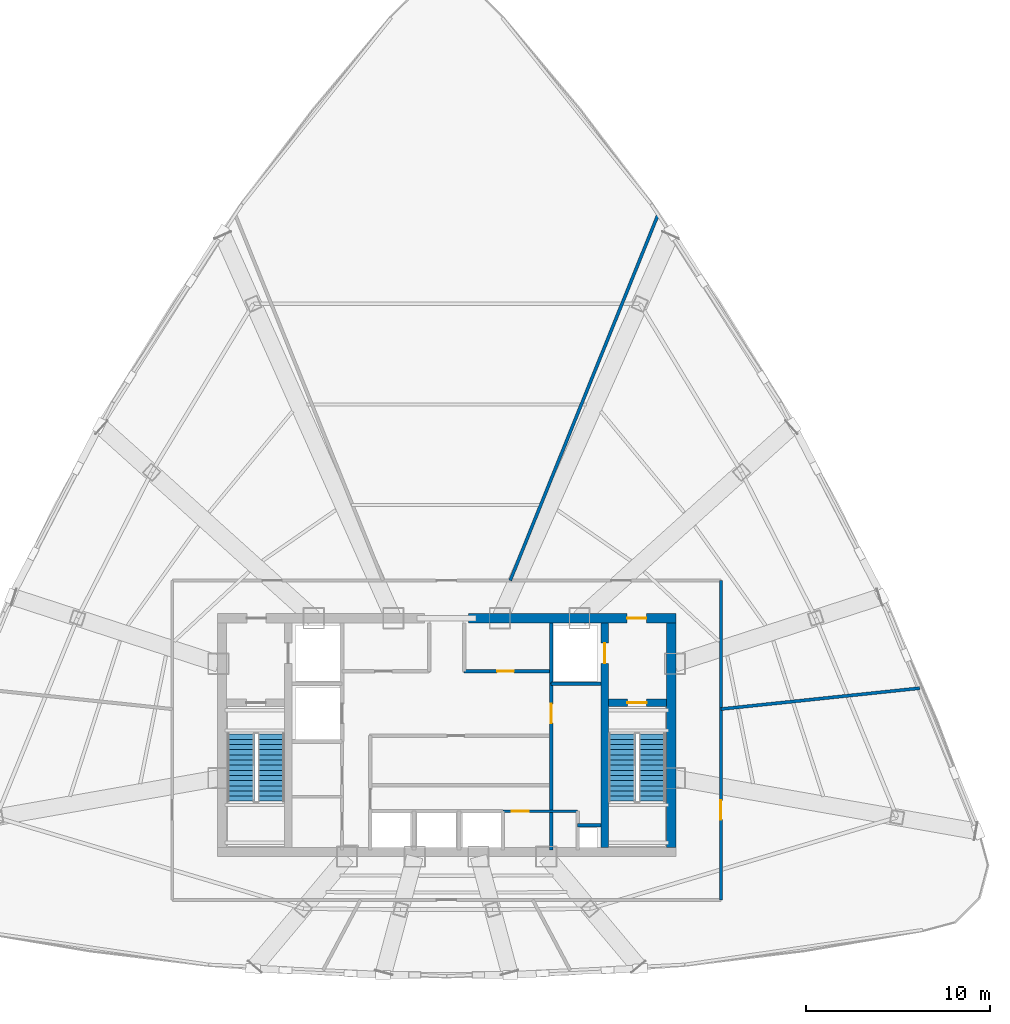
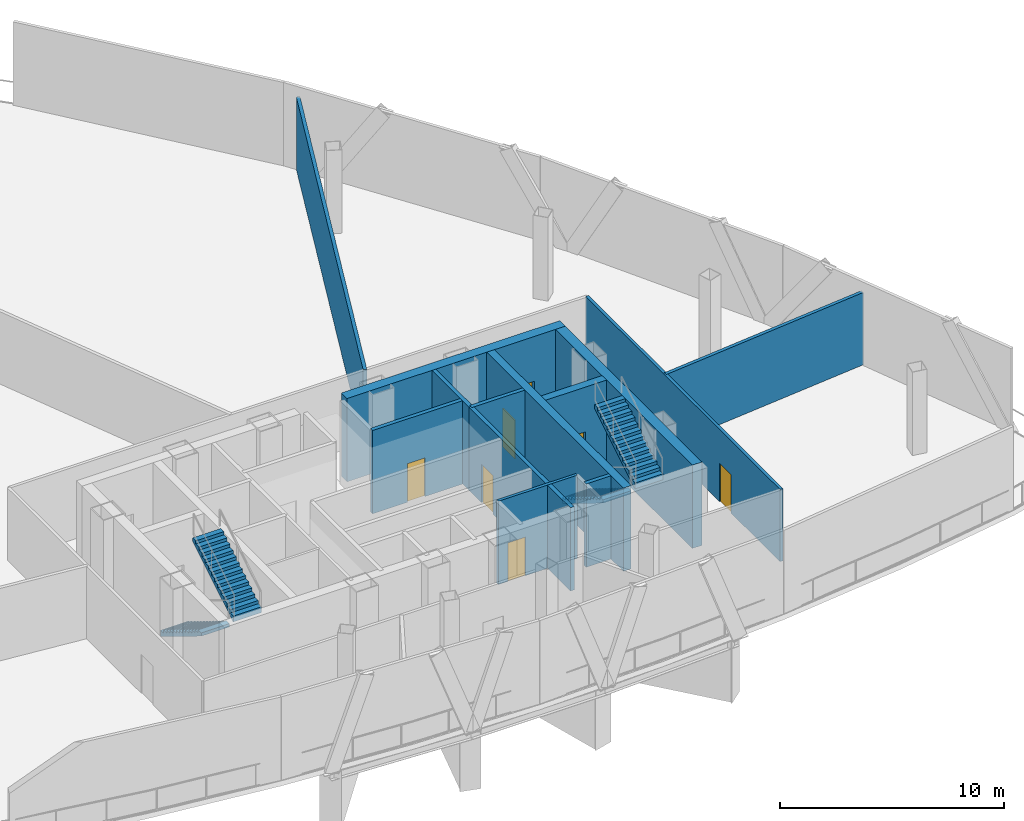
# One storey, part 7 of 12: 13 walls, 7 doors, 4 stair flights, 7 openings, 2 elements without a shape of their own.
"""IFC4 building model written with IfcOpenShell, lengths in metres."""

from ifc_helpers import new_model, si_unit, direction, frame, frame_2d, origin, origin_with_axes, place, context, subcontext, project, spatial, polyline, rectangle, outline, extrude, source, transform, mapped, material, layer, layer_set, type_object, element, fill, aggregate, save


model = new_model("IFC4")

# Units and contexts
model_context = context("Model", 3, precision=1e-05, world=origin(), true_north=direction((0.0, 1.0)))
body_context = subcontext(model_context, "Body", "Model", "MODEL_VIEW")
ifc_project = project(units=[si_unit("LENGTHUNIT", "METRE"), si_unit("AREAUNIT", "SQUARE_METRE"), si_unit("VOLUMEUNIT", "CUBIC_METRE"), si_unit("PLANEANGLEUNIT", "RADIAN"), si_unit("MASSUNIT", "GRAM", prefix="KILO"), si_unit("THERMODYNAMICTEMPERATUREUNIT", "KELVIN"), si_unit("POWERUNIT", "WATT")], contexts=[model_context])

# Site, building, storey
site_placement = place(None, origin())
site = spatial("IfcSite", under=ifc_project, at=site_placement, CompositionType="ELEMENT")
building_placement = place(site_placement, origin())
building = spatial("IfcBuilding", under=site, at=building_placement, Name="Yunzhuo Pagoda Commons", CompositionType="ELEMENT")
storey_placement = place(building_placement, frame((0.0, 0.0, 320.7099609375)))
storey = spatial("IfcBuildingStorey", under=building, at=storey_placement, Name="L80", CompositionType="ELEMENT", Elevation=320.7099609375)

# Wall, opening, door
ifc_material_1 = material(Name="Concrete C50", Category="concrete")
ifc_layer_1 = layer(ifc_material_1, 0.5)
ifc_layer_set_1 = layer_set([ifc_layer_1], Name="Concrete C50")
wall_type_1 = type_object("IfcWallType", Name="W-C03 Upper Core Shear Wall 500", PredefinedType="SHEAR", material=ifc_layer_set_1)
wall_1_placement = place(storey_placement, frame((49.199951171875, 40.199951171875, 0.0), z_axis=(0.0, 0.0, 1.0), x_axis=(1.0, 0.0, 0.0)))
wall_1 = element("IfcWall", 1, at=wall_1_placement, inside=storey, type_object=wall_type_1, Name="L80 core shear wall NE", PredefinedType="SHEAR", context=body_context, shape_type="SweptSolid", body=[
    extrude(rectangle(XDim=11.25, YDim=0.5, at=frame_2d((5.625, 0.0))), origin(), (0.0, 0.0, 1.0), 4.5400390625),
])
opening_1_placement = place(wall_1_placement, frame((8.60009765625, 0.0, 0.0)))
opening_1 = element("IfcOpeningElement", 2, at=opening_1_placement, cuts=wall_1, Name="Opening D-02", PredefinedType="OPENING", context=body_context, shape_type="SweptSolid", body=[
    extrude(rectangle(XDim=1.050048828125, YDim=2.10009765625, at=frame_2d((0.52490234375, 1.050048828125))), frame((0.0, 0.260009765625, 0.0), z_axis=(0.0, -1.0, 0.0), x_axis=(1.0, 0.0, 0.0)), (0.0, 0.0, 1.0), 0.52001953125),
])
ifc_material_2 = material(Name="Galvanized fire-resisting metal leaf")
door_type_1 = type_object("IfcDoorType", Name="D-02 Firefighting Lobby & Refuge Fire Door 1050x2100", OperationType="NOTDEFINED", PredefinedType="DOOR", material=ifc_material_2)
shared_shape_1 = source(origin(), body_context, "Body", "SweptSolid", [
    extrude(rectangle(XDim=1.050048828125, YDim=2.10009765625, at=frame_2d((0.52490234375, 1.050048828125))), frame((0.0, 0.02490234375, 0.0), z_axis=(0.0, -1.0, 0.0), x_axis=(1.0, 0.0, 0.0)), (0.0, 0.0, 1.0), 0.050048828125),
])
door_1_placement = place(opening_1_placement, frame((1.050048828125, 0.0, 0.0), z_axis=(0.0, 0.0, 1.0), x_axis=(-1.0, 0.0, 0.0)))
door_1 = element("IfcDoor", 3, at=door_1_placement, inside=storey, type_object=door_type_1, Name="L80 Firefighting Lobby 2 fire door", OperationType="SINGLE_SWING_RIGHT", OverallHeight=2.10009765625, OverallWidth=1.050048828125, PredefinedType="DOOR", context=body_context, shape_type="MappedRepresentation", body=[
    mapped(shared_shape_1, transform((0.0, 0.0, 0.0), scale=1.0)),
])
fill(opening_1, door_1)

# Wall
wall_2_placement = place(storey_placement, frame((60.199951171875, 27.75, 0.0), z_axis=(0.0, 0.0, 1.0), x_axis=(0.0, 1.0, 0.0)))
element("IfcWall", 4, at=wall_2_placement, inside=storey, type_object=wall_type_1, Name="L80 core shear wall E", PredefinedType="SHEAR", context=body_context, shape_type="SweptSolid", body=[
    extrude(rectangle(XDim=12.199951171875, YDim=0.5, at=frame_2d((6.10009765625, 0.0))), origin(), (0.0, 0.0, 1.0), 4.5400390625),
])

# Wall, opening, door
ifc_material_3 = material(Name="Gypsum plasterboard on acoustic stud")
ifc_layer_2 = layer(ifc_material_3, 0.14990234375)
ifc_layer_set_2 = layer_set([ifc_layer_2], Name="Gypsum plasterboard on acoustic stud")
wall_type_2 = type_object("IfcWallType", Name="W-COR3 High-Zone Rated Corridor Wall 150", PredefinedType="PARTITIONING", material=ifc_layer_set_2)
wall_3_placement = place(storey_placement, frame((51.050048828125, 29.719970703125, 0.0), z_axis=(0.0, 0.0, 1.0), x_axis=(1.0, 0.0, 0.0)))
wall_3 = element("IfcWall", 5, at=wall_3_placement, inside=storey, type_object=wall_type_2, Name="L80 interior wall IW-L80-CSES", PredefinedType="PARTITIONING", context=body_context, shape_type="SweptSolid", body=[
    extrude(rectangle(XDim=4.070068359375, YDim=0.14990234375, at=frame_2d((2.03515625, 0.0))), origin(), (0.0, 0.0, 1.0), 4.5400390625),
])
opening_2_placement = place(wall_3_placement, frame((0.5, 0.0, 0.0)))
opening_2 = element("IfcOpeningElement", 6, at=opening_2_placement, cuts=wall_3, Name="Opening D-03", PredefinedType="OPENING", context=body_context, shape_type="SweptSolid", body=[
    extrude(rectangle(XDim=0.89990234375, YDim=2.10009765625, at=frame_2d((0.449951171875, 1.050048828125))), frame((0.0, 0.0849609375, 0.0), z_axis=(0.0, -1.0, 0.0), x_axis=(1.0, 0.0, 0.0)), (0.0, 0.0, 1.0), 0.169921875),
])
door_type_2 = type_object("IfcDoorType", Name="D-03 Core Service Fire Door 900x2100", OperationType="NOTDEFINED", PredefinedType="DOOR", material=ifc_material_2)
shared_shape_2 = source(origin(), body_context, "Body", "SweptSolid", [
    extrude(rectangle(XDim=0.89990234375, YDim=2.10009765625, at=frame_2d((0.449951171875, 1.050048828125))), frame((0.0, 0.02490234375, 0.0), z_axis=(0.0, -1.0, 0.0), x_axis=(1.0, 0.0, 0.0)), (0.0, 0.0, 1.0), 0.050048828125),
])
door_2_placement = place(opening_2_placement, origin_with_axes())
door_2 = element("IfcDoor", 7, at=door_2_placement, inside=storey, type_object=door_type_2, Name="L80 IT closet door", OperationType="SINGLE_SWING_LEFT", OverallHeight=2.10009765625, OverallWidth=0.89990234375, PredefinedType="DOOR", context=body_context, shape_type="MappedRepresentation", body=[
    mapped(shared_shape_2, transform((0.0, 0.0, 0.0), scale=1.0)),
])
fill(opening_2, door_2)

wall_4_placement = place(storey_placement, frame((62.89990234375, 24.89990234375, 0.0), z_axis=(0.0, 0.0, 1.0), x_axis=(0.0, 1.0, 0.0)))
wall_4 = element("IfcWall", 8, at=wall_4_placement, inside=storey, type_object=wall_type_2, Name="L80 interior wall IW-L80-SCW02", PredefinedType="PARTITIONING", context=body_context, shape_type="SweptSolid", body=[
    extrude(rectangle(XDim=17.35009765625, YDim=0.14990234375, at=frame_2d((8.675048828125, 0.0))), origin(), (0.0, 0.0, 1.0), 3.93994140625),
])
opening_3_placement = place(wall_4_placement, frame((4.358154296875, 0.0, 0.0)))
opening_3 = element("IfcOpeningElement", 9, at=opening_3_placement, cuts=wall_4, Name="Opening D-02", PredefinedType="OPENING", context=body_context, shape_type="SweptSolid", body=[
    extrude(rectangle(XDim=1.050048828125, YDim=2.10009765625, at=frame_2d((0.52490234375, 1.050048828125))), frame((0.0, 0.0849609375, 0.0), z_axis=(0.0, -1.0, 0.0), x_axis=(1.0, 0.0, 0.0)), (0.0, 0.0, 1.0), 0.169921875),
])
door_3_placement = place(opening_3_placement, origin_with_axes())
door_3 = element("IfcDoor", 10, at=door_3_placement, inside=storey, type_object=door_type_1, Name="L80 South Refuge Area door", OperationType="SINGLE_SWING_RIGHT", OverallHeight=2.10009765625, OverallWidth=1.050048828125, PredefinedType="DOOR", context=body_context, shape_type="MappedRepresentation", body=[
    mapped(shared_shape_1, transform((0.0, 0.0, 0.0), scale=1.0)),
])
fill(opening_3, door_3)

# Walls
ifc_layer_3 = layer(ifc_material_3, 0.169921875)
ifc_layer_set_3 = layer_set([ifc_layer_3], Name="Gypsum plasterboard on acoustic stud")
wall_type_3 = type_object("IfcWallType", Name="W-PRT4 High-Zone Demising Wall 170", PredefinedType="PARTITIONING", material=ifc_layer_set_3)
wall_5_placement = place(storey_placement, frame((62.89990234375, 35.26611328125, 0.0), z_axis=(0.0, 0.0, 1.0), x_axis=(0.994523538022, 0.104512833281, 0.0)))
element("IfcWall", 11, at=wall_5_placement, inside=storey, type_object=wall_type_3, Name="L80 interior wall IW-L80-SRAD1", PredefinedType="PARTITIONING", context=body_context, shape_type="SweptSolid", body=[
    extrude(rectangle(XDim=10.86474609375, YDim=0.169921875, at=frame_2d((5.432373046875, 0.0))), origin(), (0.0, 0.0, 1.0), 3.93994140625),
])
wall_6_placement = place(storey_placement, frame((51.454345703125, 42.25, 0.0), z_axis=(0.0, 0.0, 1.0), x_axis=(0.374603551527, 0.927185083564, 0.0)))
element("IfcWall", 12, at=wall_6_placement, inside=storey, type_object=wall_type_3, Name="L80 interior wall IW-L80-SRAD2", PredefinedType="PARTITIONING", context=body_context, shape_type="SweptSolid", body=[
    extrude(rectangle(XDim=21.43212890625, YDim=0.169921875, at=frame_2d((10.716064453125, 0.0))), origin(), (0.0, 0.0, 1.0), 3.93994140625),
])

# Wall, opening, door
ifc_material_4 = material(Name="Concrete C60", Category="concrete")
ifc_layer_4 = layer(ifc_material_4, 0.39990234375)
ifc_layer_set_4 = layer_set([ifc_layer_4], Name="Concrete C60")
wall_type_4 = type_object("IfcWallType", Name="W-S01 Internal Core Shear Web 400", PredefinedType="SHEAR", material=ifc_layer_set_4)
wall_7_placement = place(storey_placement, frame((56.60009765625, 27.75, 0.0), z_axis=(0.0, 0.0, 1.0), x_axis=(0.0, 1.0, 0.0)))
wall_7 = element("IfcWall", 13, at=wall_7_placement, inside=storey, type_object=wall_type_4, Name="L80 core shear wall WEBE", PredefinedType="SHEAR", context=body_context, shape_type="SweptSolid", body=[
    extrude(rectangle(XDim=12.199951171875, YDim=0.39990234375, at=frame_2d((6.10009765625, 0.0))), origin(), (0.0, 0.0, 1.0), 4.5400390625),
])
opening_4_placement = place(wall_7_placement, frame((10.0, 0.0, 0.0)))
opening_4 = element("IfcOpeningElement", 14, at=opening_4_placement, cuts=wall_7, Name="Opening LD-01", PredefinedType="OPENING", context=body_context, shape_type="SweptSolid", body=[
    extrude(rectangle(XDim=1.10009765625, YDim=2.10009765625, at=frame_2d((0.550048828125, 1.050048828125))), frame((0.0, 0.2099609375, 0.0), z_axis=(0.0, -1.0, 0.0), x_axis=(1.0, 0.0, 0.0)), (0.0, 0.0, 1.0), 0.419921875),
])
door_type_3 = type_object("IfcDoorType", Name="LD-01 Firefighting Lift Landing Door 1100x2100", OperationType="DOUBLE_DOOR_SLIDING", PredefinedType="DOOR", material=ifc_material_2)
shared_shape_3 = source(origin(), body_context, "Body", "SweptSolid", [
    extrude(rectangle(XDim=1.10009765625, YDim=2.10009765625, at=frame_2d((0.550048828125, 1.050048828125))), frame((0.0, 0.02490234375, 0.0), z_axis=(0.0, -1.0, 0.0), x_axis=(1.0, 0.0, 0.0)), (0.0, 0.0, 1.0), 0.050048828125),
])
door_4_placement = place(opening_4_placement, origin_with_axes())
door_4 = element("IfcDoor", 15, at=door_4_placement, inside=storey, type_object=door_type_3, Name="L80 Firefighting lift FL-2 landing door", OperationType="DOUBLE_DOOR_SLIDING", OverallHeight=2.10009765625, OverallWidth=1.10009765625, PredefinedType="DOOR", context=body_context, shape_type="MappedRepresentation", body=[
    mapped(shared_shape_3, transform((0.0, 0.0, 0.0), scale=1.0)),
])
fill(opening_4, door_4)

wall_8_placement = place(storey_placement, frame((56.800048828125, 35.60009765625, 0.0), z_axis=(0.0, 0.0, 1.0), x_axis=(1.0, 0.0, 0.0)))
wall_8 = element("IfcWall", 16, at=wall_8_placement, inside=storey, type_object=wall_type_4, Name="L80 core shear wall STE", PredefinedType="SHEAR", context=body_context, shape_type="SweptSolid", body=[
    extrude(rectangle(XDim=3.14990234375, YDim=0.39990234375, at=frame_2d((1.574951171875, 0.0))), origin(), (0.0, 0.0, 1.0), 4.5400390625),
])
opening_5_placement = place(wall_8_placement, frame((1.02001953125, 0.0, 0.0)))
opening_5 = element("IfcOpeningElement", 17, at=opening_5_placement, cuts=wall_8, Name="Opening D-01", PredefinedType="OPENING", context=body_context, shape_type="SweptSolid", body=[
    extrude(rectangle(XDim=1.050048828125, YDim=2.10009765625, at=frame_2d((0.52490234375, 1.050048828125))), frame((0.0, 0.2099609375, 0.0), z_axis=(0.0, -1.0, 0.0), x_axis=(1.0, 0.0, 0.0)), (0.0, 0.0, 1.0), 0.419921875),
])
door_type_4 = type_object("IfcDoorType", Name="D-01 Smokeproof Stair Fire Door 1050x2100", OperationType="NOTDEFINED", PredefinedType="DOOR", material=ifc_material_2)
door_5_placement = place(opening_5_placement, frame((1.050048828125, 0.0, 0.0), z_axis=(0.0, 0.0, 1.0), x_axis=(-1.0, 0.0, 0.0)))
door_5 = element("IfcDoor", 18, at=door_5_placement, inside=storey, type_object=door_type_4, Name="L80 Stair ST2 fire door", OperationType="SINGLE_SWING_RIGHT", OverallHeight=2.10009765625, OverallWidth=1.050048828125, PredefinedType="DOOR", context=body_context, shape_type="MappedRepresentation", body=[
    mapped(shared_shape_1, transform((0.0, 0.0, 0.0), scale=1.0)),
])
fill(opening_5, door_5)

# Walls
ifc_material_5 = material(Name="Concrete C40", Category="concrete")
ifc_layer_5 = layer(ifc_material_5, 0.199951171875)
ifc_layer_set_5 = layer_set([ifc_layer_5], Name="Concrete C40")
wall_type_5 = type_object("IfcWallType", Name="W-SHF Shaft & Stair Enclosure Wall 200", PredefinedType="SOLIDWALL", material=ifc_layer_set_5)
wall_9_placement = place(storey_placement, frame((53.679931640625, 36.64990234375, 0.0), z_axis=(0.0, 0.0, 1.0), x_axis=(0.0, 1.0, 0.0)))
element("IfcWall", 19, at=wall_9_placement, inside=storey, type_object=wall_type_5, Name="L80 interior wall IW-L80-FL2W", PredefinedType="SOLIDWALL", context=body_context, shape_type="SweptSolid", body=[
    extrude(rectangle(XDim=3.300048828125, YDim=0.199951171875, at=frame_2d((1.64990234375, 0.0))), origin(), (0.0, 0.0, 1.0), 4.5400390625),
])
wall_10_placement = place(storey_placement, frame((53.679931640625, 36.64990234375, 0.0), z_axis=(0.0, 0.0, 1.0), x_axis=(1.0, 0.0, 0.0)))
element("IfcWall", 20, at=wall_10_placement, inside=storey, type_object=wall_type_5, Name="L80 interior wall IW-L80-FL2S", PredefinedType="SOLIDWALL", context=body_context, shape_type="SweptSolid", body=[
    extrude(rectangle(XDim=2.719970703125, YDim=0.199951171875, at=frame_2d((1.35986328125, 0.0))), origin(), (0.0, 0.0, 1.0), 4.5400390625),
])

# Wall, opening, door
wall_11_placement = place(storey_placement, frame((48.949951171875, 37.320068359375, 0.0), z_axis=(0.0, 0.0, 1.0), x_axis=(1.0, 0.0, 0.0)))
wall_11 = element("IfcWall", 21, at=wall_11_placement, inside=storey, type_object=wall_type_5, Name="L80 interior wall IW-L80-LBNE", PredefinedType="SOLIDWALL", context=body_context, shape_type="SweptSolid", body=[
    extrude(rectangle(XDim=4.72998046875, YDim=0.199951171875, at=frame_2d((2.364990234375, 0.0))), origin(), (0.0, 0.0, 1.0), 4.5400390625),
])
opening_6_placement = place(wall_11_placement, frame((1.800048828125, 0.0, 0.0)))
opening_6 = element("IfcOpeningElement", 22, at=opening_6_placement, cuts=wall_11, Name="Opening D-03", PredefinedType="OPENING", context=body_context, shape_type="SweptSolid", body=[
    extrude(rectangle(XDim=0.89990234375, YDim=2.10009765625, at=frame_2d((0.449951171875, 1.050048828125))), frame((0.0, 0.10986328125, 0.0), z_axis=(0.0, -1.0, 0.0), x_axis=(1.0, 0.0, 0.0)), (0.0, 0.0, 1.0), 0.219970703125),
])
door_6_placement = place(opening_6_placement, frame((0.89990234375, 0.0, 0.0), z_axis=(0.0, 0.0, 1.0), x_axis=(-1.0, 0.0, 0.0)))
door_6 = element("IfcDoor", 23, at=door_6_placement, inside=storey, type_object=door_type_2, Name="L80 core east store door", OperationType="SINGLE_SWING_RIGHT", OverallHeight=2.10009765625, OverallWidth=0.89990234375, PredefinedType="DOOR", context=body_context, shape_type="MappedRepresentation", body=[
    mapped(shared_shape_2, transform((0.0, 0.0, 0.0), scale=1.0)),
])
fill(opening_6, door_6)

wall_12_placement = place(storey_placement, frame((53.679931640625, 27.60009765625, 0.0), z_axis=(0.0, 0.0, 1.0), x_axis=(0.0, 1.0, 0.0)))
wall_12 = element("IfcWall", 24, at=wall_12_placement, inside=storey, type_object=wall_type_5, Name="L80 interior wall IW-L80-PLME", PredefinedType="SOLIDWALL", context=body_context, shape_type="SweptSolid", body=[
    extrude(rectangle(XDim=9.0498046875, YDim=0.199951171875, at=frame_2d((4.52490234375, 0.0))), origin(), (0.0, 0.0, 1.0), 4.5400390625),
])
opening_7_placement = place(wall_12_placement, frame((6.89990234375, 0.0, 0.0)))
opening_7 = element("IfcOpeningElement", 25, at=opening_7_placement, cuts=wall_12, Name="Opening D-02", PredefinedType="OPENING", context=body_context, shape_type="SweptSolid", body=[
    extrude(rectangle(XDim=1.050048828125, YDim=2.10009765625, at=frame_2d((0.52490234375, 1.050048828125))), frame((0.0, 0.10986328125, 0.0), z_axis=(0.0, -1.0, 0.0), x_axis=(1.0, 0.0, 0.0)), (0.0, 0.0, 1.0), 0.219970703125),
])
door_7_placement = place(opening_7_placement, origin_with_axes())
door_7 = element("IfcDoor", 26, at=door_7_placement, inside=storey, type_object=door_type_1, Name="L80 High-bank lift hall door", OperationType="SINGLE_SWING_RIGHT", OverallHeight=2.10009765625, OverallWidth=1.050048828125, PredefinedType="DOOR", context=body_context, shape_type="MappedRepresentation", body=[
    mapped(shared_shape_1, transform((0.0, 0.0, 0.0), scale=1.0)),
])
fill(opening_7, door_7)

# Wall
wall_13_placement = place(storey_placement, frame((55.1201171875, 28.949951171875, 0.0), z_axis=(0.0, 0.0, 1.0), x_axis=(1.0, 0.0, 0.0)))
element("IfcWall", 27, at=wall_13_placement, inside=storey, type_object=wall_type_5, Name="L80 interior wall IW-L80-RSHFN", PredefinedType="SOLIDWALL", context=body_context, shape_type="SweptSolid", body=[
    extrude(rectangle(XDim=1.27978515625, YDim=0.199951171875, at=frame_2d((0.639892578125, 0.0))), origin(), (0.0, 0.0, 1.0), 4.5400390625),
])

# Stair, stair flights
stair_type_1 = type_object("IfcStairType", Name="ST-C1 Core Smokeproof Stair ST1", PredefinedType="HALF_TURN_STAIR", material=ifc_material_5)
stair_1_placement = place(storey_placement, origin())
stair_1 = element("IfcStair", 28, at=stair_1_placement, inside=storey, type_object=stair_type_1, Name="L80 Core smokeproof stair ST1", PredefinedType="HALF_TURN_STAIR")
stair_flight_type_1 = type_object("IfcStairFlightType", Name="STF-C1 Core Stair Flight 1450", PredefinedType="STRAIGHT", material=ifc_material_5)
shared_shape_4 = source(origin(), body_context, "Body", "SweptSolid", [
    extrude(outline(polyline([(0.0, -0.14990234375), (0.0, 0.0), (0.0, 0.17138671875), (0.280029296875, 0.17138671875), (0.280029296875, 0.3427734375), (0.56005859375, 0.3427734375), (0.56005859375, 0.514404296875), (0.840087890625, 0.514404296875), (0.840087890625, 0.685791015625), (1.1201171875, 0.685791015625), (1.1201171875, 0.857177734375), (1.39990234375, 0.857177734375), (1.39990234375, 1.028564453125), (1.679931640625, 1.028564453125), (1.679931640625, 1.199951171875), (1.9599609375, 1.199951171875), (1.9599609375, 1.371337890625), (2.239990234375, 1.371337890625), (2.239990234375, 1.54296875), (2.52001953125, 1.54296875), (2.52001953125, 1.71435546875), (2.800048828125, 1.71435546875), (2.800048828125, 1.8857421875), (3.080078125, 1.8857421875), (3.080078125, 2.05712890625), (3.360107421875, 2.05712890625), (3.360107421875, 2.228515625), (3.639892578125, 2.228515625), (3.639892578125, 2.39990234375), (3.639892578125, 2.052734375), (0.287109375, 0.0), (0.050048828125, -0.14990234375), (0.0, -0.14990234375)])), frame((0.0, 0.72509765625, 0.0), z_axis=(0.0, -1.0, 0.0), x_axis=(1.0, 0.0, 0.0)), (0.0, 0.0, 1.0), 1.449951171875),
])
stair_flight_1_placement = place(storey_placement, frame((36.824951171875, 33.89990234375, 0.0), z_axis=(0.0, 0.0, 1.0), x_axis=(0.0, -1.0, 0.0)))
stair_flight_1 = element("IfcStairFlight", 29, at=stair_flight_1_placement, type_object=stair_flight_type_1, Name="ST1 flight 1", NumberOfRisers=14, NumberOfTreads=13, PredefinedType="STRAIGHT", RiserHeight=0.171428571, TreadLength=0.28, context=body_context, shape_type="MappedRepresentation", body=[
    mapped(shared_shape_4, transform((0.0, 0.0, 0.0), scale=1.0)),
])
stair_flight_2_placement = place(storey_placement, frame((38.47509765625, 30.260009765625, 2.400146484375), z_axis=(0.0, 0.0, 1.0), x_axis=(0.0, 1.0, 0.0)))
stair_flight_2 = element("IfcStairFlight", 30, at=stair_flight_2_placement, type_object=stair_flight_type_1, Name="ST1 flight 2", NumberOfRisers=14, NumberOfTreads=13, PredefinedType="STRAIGHT", RiserHeight=0.171428571, TreadLength=0.28, context=body_context, shape_type="MappedRepresentation", body=[
    mapped(shared_shape_4, transform((0.0, 0.0, 0.0), scale=1.0)),
])
aggregate(stair_1, [stair_flight_1, stair_flight_2])

stair_type_2 = type_object("IfcStairType", Name="ST-C2 Core Smokeproof Stair ST2", PredefinedType="HALF_TURN_STAIR", material=ifc_material_5)
stair_2_placement = place(storey_placement, origin())
stair_2 = element("IfcStair", 31, at=stair_2_placement, inside=storey, type_object=stair_type_2, Name="L80 Core smokeproof stair ST2", PredefinedType="HALF_TURN_STAIR")
stair_flight_type_2 = type_object("IfcStairFlightType", Name="STF-C2 Core Stair Flight 1460", PredefinedType="STRAIGHT", material=ifc_material_5)
stair_flight_3_placement = place(storey_placement, frame((57.52490234375, 33.89990234375, 0.0), z_axis=(0.0, 0.0, 1.0), x_axis=(0.0, -1.0, 0.0)))
stair_flight_3 = element("IfcStairFlight", 32, at=stair_flight_3_placement, type_object=stair_flight_type_2, Name="ST2 flight 1", NumberOfRisers=14, NumberOfTreads=13, PredefinedType="STRAIGHT", RiserHeight=0.171428571, TreadLength=0.28, context=body_context, shape_type="MappedRepresentation", body=[
    mapped(shared_shape_4, transform((0.0, 0.0, 0.0), scale=1.0)),
])
stair_flight_4_placement = place(storey_placement, frame((59.175048828125, 30.260009765625, 2.400146484375), z_axis=(0.0, 0.0, 1.0), x_axis=(0.0, 1.0, 0.0)))
stair_flight_4 = element("IfcStairFlight", 33, at=stair_flight_4_placement, type_object=stair_flight_type_2, Name="ST2 flight 2", NumberOfRisers=14, NumberOfTreads=13, PredefinedType="STRAIGHT", RiserHeight=0.171428571, TreadLength=0.28, context=body_context, shape_type="MappedRepresentation", body=[
    mapped(shared_shape_4, transform((0.0, 0.0, 0.0), scale=1.0)),
])
aggregate(stair_2, [stair_flight_3, stair_flight_4])

save(model, "model.ifc")
